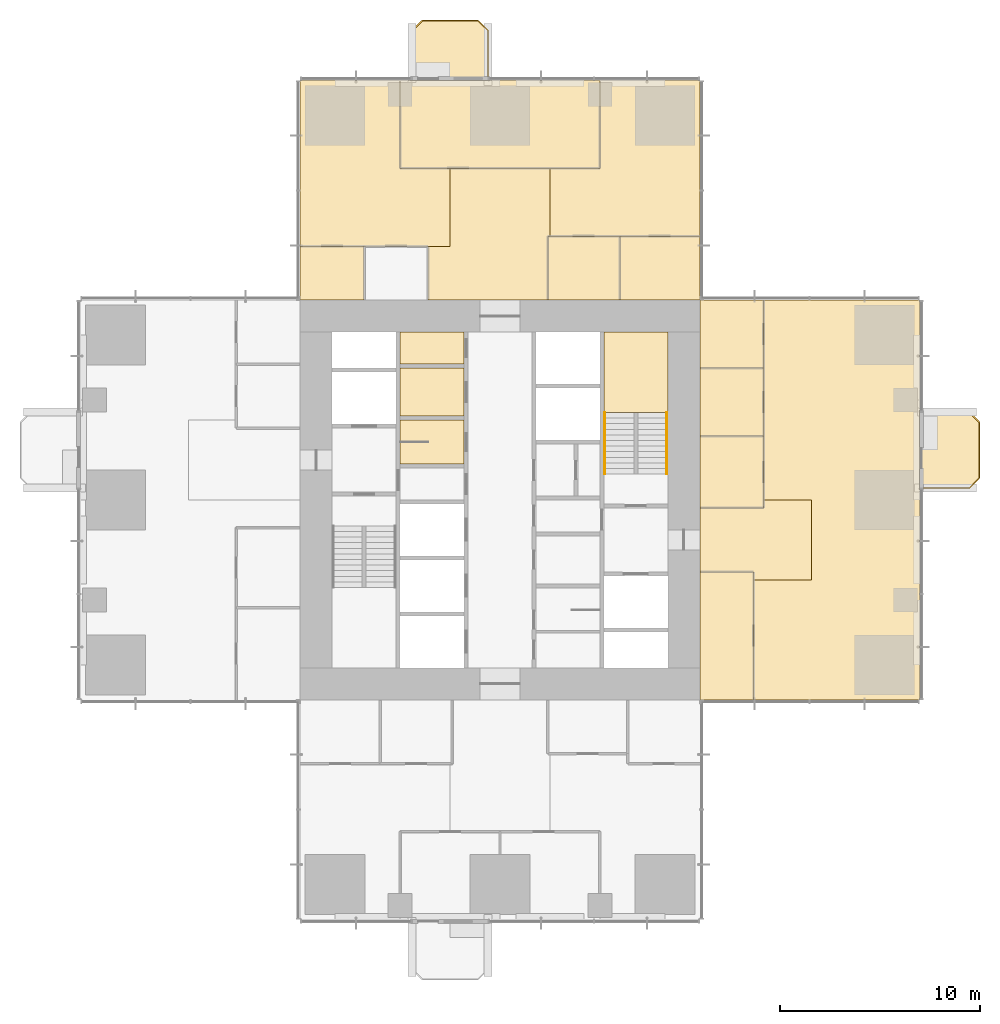
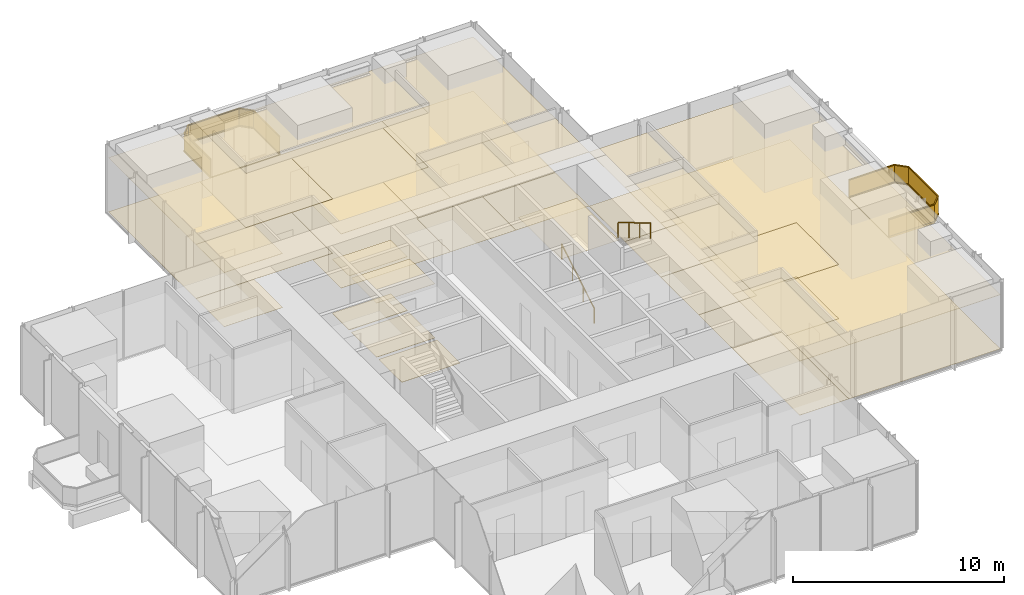
# One storey, part 12 of 13: 34 coverings, 4 railings.
"""IFC4 building model written with IfcOpenShell, lengths in metres."""

from ifc_helpers import new_model, si_unit, direction, frame, origin, origin_2d, place, context, subcontext, project, spatial, polyline, rectangle, circle, outline, extrude, material, layer, layer_set, type_object, element, save


model = new_model("IFC4")

# Units and contexts
model_context = context("Model", 3, precision=1e-05, world=origin(), true_north=direction((0.0, 1.0)))
body_context = subcontext(model_context, "Body", "Model", "MODEL_VIEW")
ifc_project = project(units=[si_unit("LENGTHUNIT", "METRE"), si_unit("AREAUNIT", "SQUARE_METRE"), si_unit("VOLUMEUNIT", "CUBIC_METRE"), si_unit("PLANEANGLEUNIT", "RADIAN"), si_unit("MASSUNIT", "GRAM", prefix="KILO")], contexts=[model_context])

# Site, building, storey
site_placement = place(None, origin())
site = spatial("IfcSite", under=ifc_project, at=site_placement, CompositionType="ELEMENT")
building_placement = place(site_placement, origin())
building = spatial("IfcBuilding", under=site, at=building_placement, Name="Svetlomir Tower", CompositionType="ELEMENT")
storey_placement = place(building_placement, frame((0.0, 0.0, 124.5)))
storey = spatial("IfcBuildingStorey", under=building, at=storey_placement, Name="L29", CompositionType="ELEMENT", Elevation=124.5)

# Railings
ifc_material_1 = material(Name="Bronze anodised aluminium and laminated glass", Category="aluminium")
railing_type_1 = type_object("IfcRailingType", Name="BALCONY GUARD GR1 1100", PredefinedType="GUARDRAIL", material=ifc_material_1)
railing_1_placement = place(storey_placement, frame((42.0, 21.60009765625, 0.0)))
element("IfcRailing", 1, at=railing_1_placement, inside=storey, type_object=railing_type_1, Name="Balcony guard E L29", PredefinedType="GUARDRAIL", context=body_context, shape_type="SweptSolid", body=[
    extrude(rectangle(XDim=0.06005859375, YDim=0.10009765625, at=origin_2d()), frame((0.0, 0.0, 0.050048828125), z_axis=(1.0, 0.0, 0.0), x_axis=(0.0, 1.0, 0.0)), (0.0, 0.0, 1.0), 2.5),
    extrude(rectangle(XDim=0.021484375, YDim=0.960205078125, at=origin_2d()), frame((0.0, 0.0, 0.580078125), z_axis=(1.0, 0.0, 0.0), x_axis=(0.0, 1.0, 0.0)), (0.0, 0.0, 1.0), 2.5),
    extrude(rectangle(XDim=0.06005859375, YDim=0.0400390625, at=origin_2d()), frame((0.0, 0.0, 1.080078125), z_axis=(1.0, 0.0, 0.0), x_axis=(0.0, 1.0, 0.0)), (0.0, 0.0, 1.0), 2.5),
    extrude(rectangle(XDim=0.06005859375, YDim=0.10009765625, at=origin_2d()), frame((2.5, 0.0, 0.050048828125), z_axis=(0.707106781187, 0.707106781187, 0.0), x_axis=(-0.707106781187, 0.707106781187, 0.0)), (0.0, 0.0, 1.0), 0.70703125),
    extrude(rectangle(XDim=0.021484375, YDim=0.960205078125, at=origin_2d()), frame((2.5, 0.0, 0.580078125), z_axis=(0.707106781187, 0.707106781187, 0.0), x_axis=(-0.707106781187, 0.707106781187, 0.0)), (0.0, 0.0, 1.0), 0.70703125),
    extrude(rectangle(XDim=0.06005859375, YDim=0.0400390625, at=origin_2d()), frame((2.5, 0.0, 1.080078125), z_axis=(0.707106781187, 0.707106781187, 0.0), x_axis=(-0.707106781187, 0.707106781187, 0.0)), (0.0, 0.0, 1.0), 0.70703125),
    extrude(rectangle(XDim=0.06005859375, YDim=0.10009765625, at=origin_2d()), frame((3.0, 0.5, 0.050048828125), z_axis=(0.0, 1.0, 0.0), x_axis=(-1.0, 0.0, 0.0)), (0.0, 0.0, 1.0), 2.7998046875),
    extrude(rectangle(XDim=0.021484375, YDim=0.960205078125, at=origin_2d()), frame((3.0, 0.5, 0.580078125), z_axis=(0.0, 1.0, 0.0), x_axis=(-1.0, 0.0, 0.0)), (0.0, 0.0, 1.0), 2.7998046875),
    extrude(rectangle(XDim=0.06005859375, YDim=0.0400390625, at=origin_2d()), frame((3.0, 0.5, 1.080078125), z_axis=(0.0, 1.0, 0.0), x_axis=(-1.0, 0.0, 0.0)), (0.0, 0.0, 1.0), 2.7998046875),
    extrude(rectangle(XDim=0.06005859375, YDim=0.10009765625, at=origin_2d()), frame((3.0, 3.2998046875, 0.050048828125), z_axis=(-0.707106781187, 0.707106781187, 0.0), x_axis=(-0.707106781187, -0.707106781187, 0.0)), (0.0, 0.0, 1.0), 0.70703125),
    extrude(rectangle(XDim=0.021484375, YDim=0.960205078125, at=origin_2d()), frame((3.0, 3.2998046875, 0.580078125), z_axis=(-0.707106781187, 0.707106781187, 0.0), x_axis=(-0.707106781187, -0.707106781187, 0.0)), (0.0, 0.0, 1.0), 0.70703125),
    extrude(rectangle(XDim=0.06005859375, YDim=0.0400390625, at=origin_2d()), frame((3.0, 3.2998046875, 1.080078125), z_axis=(-0.707106781187, 0.707106781187, 0.0), x_axis=(-0.707106781187, -0.707106781187, 0.0)), (0.0, 0.0, 1.0), 0.70703125),
    extrude(rectangle(XDim=0.06005859375, YDim=0.10009765625, at=origin_2d()), frame((2.5, 3.7998046875, 0.050048828125), z_axis=(-1.0, 0.0, 0.0), x_axis=(0.0, -1.0, 0.0)), (0.0, 0.0, 1.0), 2.5),
    extrude(rectangle(XDim=0.021484375, YDim=0.960205078125, at=origin_2d()), frame((2.5, 3.7998046875, 0.580078125), z_axis=(-1.0, 0.0, 0.0), x_axis=(0.0, -1.0, 0.0)), (0.0, 0.0, 1.0), 2.5),
    extrude(rectangle(XDim=0.06005859375, YDim=0.0400390625, at=origin_2d()), frame((2.5, 3.7998046875, 1.080078125), z_axis=(-1.0, 0.0, 0.0), x_axis=(0.0, -1.0, 0.0)), (0.0, 0.0, 1.0), 2.5),
])
railing_2_placement = place(storey_placement, frame((20.39990234375, 42.0, 0.0)))
element("IfcRailing", 2, at=railing_2_placement, inside=storey, type_object=railing_type_1, Name="Balcony guard N L29", PredefinedType="GUARDRAIL", context=body_context, shape_type="SweptSolid", body=[
    extrude(rectangle(XDim=0.06005859375, YDim=0.10009765625, at=origin_2d()), frame((0.0, 0.0, 0.050048828125), z_axis=(0.0, 1.0, 0.0), x_axis=(-1.0, 0.0, 0.0)), (0.0, 0.0, 1.0), 2.5),
    extrude(rectangle(XDim=0.021484375, YDim=0.960205078125, at=origin_2d()), frame((0.0, 0.0, 0.580078125), z_axis=(0.0, 1.0, 0.0), x_axis=(-1.0, 0.0, 0.0)), (0.0, 0.0, 1.0), 2.5),
    extrude(rectangle(XDim=0.06005859375, YDim=0.0400390625, at=origin_2d()), frame((0.0, 0.0, 1.080078125), z_axis=(0.0, 1.0, 0.0), x_axis=(-1.0, 0.0, 0.0)), (0.0, 0.0, 1.0), 2.5),
    extrude(rectangle(XDim=0.06005859375, YDim=0.10009765625, at=origin_2d()), frame((0.0, 2.5, 0.050048828125), z_axis=(-0.707106781187, 0.707106781187, 0.0), x_axis=(-0.707106781187, -0.707106781187, 0.0)), (0.0, 0.0, 1.0), 0.70703125),
    extrude(rectangle(XDim=0.021484375, YDim=0.960205078125, at=origin_2d()), frame((0.0, 2.5, 0.580078125), z_axis=(-0.707106781187, 0.707106781187, 0.0), x_axis=(-0.707106781187, -0.707106781187, 0.0)), (0.0, 0.0, 1.0), 0.70703125),
    extrude(rectangle(XDim=0.06005859375, YDim=0.0400390625, at=origin_2d()), frame((0.0, 2.5, 1.080078125), z_axis=(-0.707106781187, 0.707106781187, 0.0), x_axis=(-0.707106781187, -0.707106781187, 0.0)), (0.0, 0.0, 1.0), 0.70703125),
    extrude(rectangle(XDim=0.06005859375, YDim=0.10009765625, at=origin_2d()), frame((-0.5, 3.0, 0.050048828125), z_axis=(-1.0, 0.0, 0.0), x_axis=(0.0, -1.0, 0.0)), (0.0, 0.0, 1.0), 2.7998046875),
    extrude(rectangle(XDim=0.021484375, YDim=0.960205078125, at=origin_2d()), frame((-0.5, 3.0, 0.580078125), z_axis=(-1.0, 0.0, 0.0), x_axis=(0.0, -1.0, 0.0)), (0.0, 0.0, 1.0), 2.7998046875),
    extrude(rectangle(XDim=0.06005859375, YDim=0.0400390625, at=origin_2d()), frame((-0.5, 3.0, 1.080078125), z_axis=(-1.0, 0.0, 0.0), x_axis=(0.0, -1.0, 0.0)), (0.0, 0.0, 1.0), 2.7998046875),
    extrude(rectangle(XDim=0.06005859375, YDim=0.10009765625, at=origin_2d()), frame((-3.2998046875, 3.0, 0.050048828125), z_axis=(-0.707106781187, -0.707106781187, 0.0), x_axis=(0.707106781187, -0.707106781187, 0.0)), (0.0, 0.0, 1.0), 0.70703125),
    extrude(rectangle(XDim=0.021484375, YDim=0.960205078125, at=origin_2d()), frame((-3.2998046875, 3.0, 0.580078125), z_axis=(-0.707106781187, -0.707106781187, 0.0), x_axis=(0.707106781187, -0.707106781187, 0.0)), (0.0, 0.0, 1.0), 0.70703125),
    extrude(rectangle(XDim=0.06005859375, YDim=0.0400390625, at=origin_2d()), frame((-3.2998046875, 3.0, 1.080078125), z_axis=(-0.707106781187, -0.707106781187, 0.0), x_axis=(0.707106781187, -0.707106781187, 0.0)), (0.0, 0.0, 1.0), 0.70703125),
    extrude(rectangle(XDim=0.06005859375, YDim=0.10009765625, at=origin_2d()), frame((-3.7998046875, 2.5, 0.050048828125), z_axis=(0.0, -1.0, 0.0), x_axis=(1.0, 0.0, 0.0)), (0.0, 0.0, 1.0), 2.5),
    extrude(rectangle(XDim=0.021484375, YDim=0.960205078125, at=origin_2d()), frame((-3.7998046875, 2.5, 0.580078125), z_axis=(0.0, -1.0, 0.0), x_axis=(1.0, 0.0, 0.0)), (0.0, 0.0, 1.0), 2.5),
    extrude(rectangle(XDim=0.06005859375, YDim=0.0400390625, at=origin_2d()), frame((-3.7998046875, 2.5, 1.080078125), z_axis=(0.0, -1.0, 0.0), x_axis=(1.0, 0.0, 0.0)), (0.0, 0.0, 1.0), 2.5),
])

# Coverings
ifc_material_2 = material(Name="Granite paving slabs on pedestals", Category="masonry")
ifc_layer_1 = layer(ifc_material_2, 0.0400390625)
ifc_layer_set_1 = layer_set([ifc_layer_1], Name="Granite paving slabs on pedestals")
covering_type_1 = type_object("IfcCoveringType", Name="BALCONY PAVING 40", PredefinedType="USERDEFINED", material=ifc_layer_set_1)
covering_1_placement = place(storey_placement, origin())
element("IfcCovering", 3, at=covering_1_placement, inside=storey, type_object=covering_type_1, Name="Balcony paving E L29", ObjectType="BALCONY PAVING", PredefinedType="USERDEFINED", context=body_context, shape_type="SweptSolid", body=[
    extrude(outline(polyline([(42.0, 21.60009765625), (44.5, 21.60009765625), (45.0, 22.10009765625), (45.0, 24.89990234375), (44.5, 25.39990234375), (42.0, 25.39990234375), (42.0, 21.60009765625)])), origin(), (0.0, 0.0, 1.0), 0.0400390625),
])
covering_2_placement = place(storey_placement, origin())
element("IfcCovering", 4, at=covering_2_placement, inside=storey, type_object=covering_type_1, Name="Balcony paving N L29", ObjectType="BALCONY PAVING", PredefinedType="USERDEFINED", context=body_context, shape_type="SweptSolid", body=[
    extrude(outline(polyline([(16.60009765625, 42.0), (20.39990234375, 42.0), (20.39990234375, 44.5), (19.89990234375, 45.0), (17.10009765625, 45.0), (16.60009765625, 44.5), (16.60009765625, 42.0)])), origin(), (0.0, 0.0, 1.0), 0.0400390625),
])
ifc_material_3 = material(Name="Carpet tile", Category="textile")
ifc_layer_2 = layer(ifc_material_3, 0.010009765625)
ifc_layer_set_2 = layer_set([ifc_layer_2], Name="Carpet tile")
covering_type_2 = type_object("IfcCoveringType", Name="CARPET TILE FLOOR 10", PredefinedType="FLOORING", material=ifc_layer_set_2)
covering_3_placement = place(storey_placement, origin())
element("IfcCovering", 5, at=covering_3_placement, inside=storey, type_object=covering_type_2, Name="Floor finish L29-22", PredefinedType="FLOORING", context=body_context, shape_type="SweptSolid", body=[
    extrude(outline(polyline([(31.0, 11.0), (33.699951171875, 11.0), (33.699951171875, 17.39990234375), (31.0, 17.39990234375), (31.0, 11.0)])), origin(), (0.0, 0.0, 1.0), 0.010009765625),
])
covering_4_placement = place(storey_placement, origin())
element("IfcCovering", 6, at=covering_4_placement, inside=storey, type_object=covering_type_2, Name="Floor finish L29-23", PredefinedType="FLOORING", context=body_context, shape_type="SweptSolid", body=[
    extrude(outline(polyline([(31.0, 20.60009765625), (34.199951171875, 20.60009765625), (34.199951171875, 24.199951171875), (31.0, 24.199951171875), (31.0, 20.60009765625)])), origin(), (0.0, 0.0, 1.0), 0.010009765625),
])
covering_5_placement = place(storey_placement, origin())
element("IfcCovering", 7, at=covering_5_placement, inside=storey, type_object=covering_type_2, Name="Floor finish L29-24", PredefinedType="FLOORING", context=body_context, shape_type="SweptSolid", body=[
    extrude(outline(polyline([(31.0, 24.199951171875), (34.199951171875, 24.199951171875), (34.199951171875, 27.60009765625), (31.0, 27.60009765625), (31.0, 24.199951171875)])), origin(), (0.0, 0.0, 1.0), 0.010009765625),
])
covering_6_placement = place(storey_placement, origin())
element("IfcCovering", 8, at=covering_6_placement, inside=storey, type_object=covering_type_2, Name="Floor finish L29-25", PredefinedType="FLOORING", context=body_context, shape_type="SweptSolid", body=[
    extrude(outline(polyline([(31.0, 27.60009765625), (34.199951171875, 27.60009765625), (34.199951171875, 31.0), (31.0, 31.0), (31.0, 27.60009765625)])), origin(), (0.0, 0.0, 1.0), 0.010009765625),
])
covering_7_placement = place(storey_placement, origin())
element("IfcCovering", 9, at=covering_7_placement, inside=storey, type_object=covering_type_2, Name="Floor finish L29-26", PredefinedType="FLOORING", context=body_context, shape_type="SweptSolid", body=[
    extrude(outline(polyline([(11.0, 31.0), (14.199951171875, 31.0), (14.199951171875, 33.699951171875), (11.0, 33.699951171875), (11.0, 31.0)])), origin(), (0.0, 0.0, 1.0), 0.010009765625),
])
covering_8_placement = place(storey_placement, origin())
element("IfcCovering", 10, at=covering_8_placement, inside=storey, type_object=covering_type_2, Name="Floor finish L29-28", PredefinedType="FLOORING", context=body_context, shape_type="SweptSolid", body=[
    extrude(outline(polyline([(23.39990234375, 31.0), (27.0, 31.0), (27.0, 34.199951171875), (23.39990234375, 34.199951171875), (23.39990234375, 31.0)])), origin(), (0.0, 0.0, 1.0), 0.010009765625),
])
covering_9_placement = place(storey_placement, origin())
element("IfcCovering", 11, at=covering_9_placement, inside=storey, type_object=covering_type_2, Name="Floor finish L29-29", PredefinedType="FLOORING", context=body_context, shape_type="SweptSolid", body=[
    extrude(outline(polyline([(27.0, 31.0), (31.0, 31.0), (31.0, 34.199951171875), (27.0, 34.199951171875), (27.0, 31.0)])), origin(), (0.0, 0.0, 1.0), 0.010009765625),
])
covering_10_placement = place(storey_placement, origin())
element("IfcCovering", 12, at=covering_10_placement, inside=storey, type_object=covering_type_2, Name="Floor finish L29-30", PredefinedType="FLOORING", context=body_context, shape_type="SweptSolid", body=[
    extrude(outline(polyline([(16.0, 37.60009765625), (26.0, 37.60009765625), (26.0, 42.0), (16.0, 42.0), (16.0, 37.60009765625)])), origin(), (0.0, 0.0, 1.0), 0.010009765625),
])
covering_11_placement = place(storey_placement, origin())
element("IfcCovering", 13, at=covering_11_placement, inside=storey, type_object=covering_type_2, Name="Floor finish L29-36", PredefinedType="FLOORING", context=body_context, shape_type="SweptSolid", body=[
    extrude(outline(polyline([(34.199951171875, 20.60009765625), (34.199951171875, 21.0), (36.60009765625, 21.0), (36.60009765625, 17.0), (33.699951171875, 17.0), (33.699951171875, 17.39990234375), (31.0, 17.39990234375), (31.0, 20.60009765625), (34.199951171875, 20.60009765625)])), origin(), (0.0, 0.0, 1.0), 0.010009765625),
])
covering_12_placement = place(storey_placement, origin())
element("IfcCovering", 14, at=covering_12_placement, inside=storey, type_object=covering_type_2, Name="Floor finish L29-38", PredefinedType="FLOORING", context=body_context, shape_type="SweptSolid", body=[
    extrude(outline(polyline([(18.5, 33.699951171875), (18.5, 37.60009765625), (23.5, 37.60009765625), (23.5, 34.199951171875), (23.39990234375, 34.199951171875), (23.39990234375, 31.0), (17.39990234375, 31.0), (17.39990234375, 33.699951171875), (18.5, 33.699951171875)])), origin(), (0.0, 0.0, 1.0), 0.010009765625),
])
covering_13_placement = place(storey_placement, origin())
element("IfcCovering", 15, at=covering_13_placement, inside=storey, type_object=covering_type_2, Name="Floor finish L29-41", PredefinedType="FLOORING", context=body_context, shape_type="SweptSolid", body=[
    extrude(outline(polyline([(33.699951171875, 11.0), (33.699951171875, 17.0), (36.60009765625, 17.0), (36.60009765625, 21.0), (34.199951171875, 21.0), (34.199951171875, 31.0), (42.0, 31.0), (42.0, 11.0), (33.699951171875, 11.0)])), origin(), (0.0, 0.0, 1.0), 0.010009765625),
])
covering_14_placement = place(storey_placement, origin())
element("IfcCovering", 16, at=covering_14_placement, inside=storey, type_object=covering_type_2, Name="Floor finish L29-42", PredefinedType="FLOORING", context=body_context, shape_type="SweptSolid", body=[
    extrude(outline(polyline([(23.5, 34.199951171875), (23.5, 37.60009765625), (26.0, 37.60009765625), (26.0, 42.0), (31.0, 42.0), (31.0, 34.199951171875), (23.5, 34.199951171875)])), origin(), (0.0, 0.0, 1.0), 0.010009765625),
])
covering_15_placement = place(storey_placement, origin())
element("IfcCovering", 17, at=covering_15_placement, inside=storey, type_object=covering_type_2, Name="Floor finish L29-43", PredefinedType="FLOORING", context=body_context, shape_type="SweptSolid", body=[
    extrude(outline(polyline([(11.0, 33.699951171875), (11.0, 42.0), (16.0, 42.0), (16.0, 37.60009765625), (18.5, 37.60009765625), (18.5, 33.699951171875), (11.0, 33.699951171875)])), origin(), (0.0, 0.0, 1.0), 0.010009765625),
])
ifc_material_4 = material(Name="Ceramic floor tile", Category="ceramic")
ifc_layer_3 = layer(ifc_material_4, 0.014892578125)
ifc_layer_set_3 = layer_set([ifc_layer_3], Name="Ceramic floor tile")
covering_type_3 = type_object("IfcCoveringType", Name="CERAMIC TILE FLOOR 15", PredefinedType="FLOORING", material=ifc_layer_set_3)
covering_16_placement = place(storey_placement, origin())
element("IfcCovering", 18, at=covering_16_placement, inside=storey, type_object=covering_type_3, Name="Floor finish L29-04", PredefinedType="FLOORING", context=body_context, shape_type="SweptSolid", body=[
    extrude(outline(polyline([(16.0, 22.800048828125), (19.199951171875, 22.800048828125), (19.199951171875, 25.0), (16.0, 25.0), (16.0, 22.800048828125)])), origin(), (0.0, 0.0, 1.0), 0.014892578125),
])
covering_17_placement = place(storey_placement, origin())
element("IfcCovering", 19, at=covering_17_placement, inside=storey, type_object=covering_type_3, Name="Floor finish L29-05", PredefinedType="FLOORING", context=body_context, shape_type="SweptSolid", body=[
    extrude(outline(polyline([(16.0, 25.199951171875), (19.199951171875, 25.199951171875), (19.199951171875, 27.60009765625), (16.0, 27.60009765625), (16.0, 25.199951171875)])), origin(), (0.0, 0.0, 1.0), 0.014892578125),
])

# Railings
ifc_material_5 = material(Name="Stainless steel", Category="steel")
railing_type_2 = type_object("IfcRailingType", Name="HANDRAIL HR1 900", PredefinedType="HANDRAIL", material=ifc_material_5)
railing_3_placement = place(storey_placement, frame((26.25, 22.300048828125, 0.166748046875)))
element("IfcRailing", 20, at=railing_3_placement, inside=storey, type_object=railing_type_2, Name="Handrail S2 flight 1 L29", PredefinedType="HANDRAIL", context=body_context, shape_type="SweptSolid", body=[
    extrude(circle(Radius=0.02392578125, at=origin_2d()), frame((0.0, 0.0, 0.8759765625), z_axis=(0.0, 0.859290745958, 0.51148745235), x_axis=(-1.0, 0.0, 0.0)), (0.0, 0.0, 1.0), 3.584228515625),
    extrude(circle(Radius=0.02099609375, at=origin_2d()), origin(), (0.0, 0.0, 1.0), 0.851806640625),
    extrude(circle(Radius=0.02099609375, at=origin_2d()), frame((0.0, 1.026611328125, 0.611083984375)), (0.0, 0.0, 1.0), 0.851806640625),
    extrude(circle(Radius=0.02099609375, at=origin_2d()), frame((0.0, 2.05322265625, 1.22216796875)), (0.0, 0.0, 1.0), 0.851806640625),
    extrude(circle(Radius=0.02099609375, at=origin_2d()), frame((0.0, 3.079833984375, 1.833251953125)), (0.0, 0.0, 1.0), 0.851806640625),
])
railing_4_placement = place(storey_placement, frame((29.35009765625, 25.3798828125, 2.166748046875)))
element("IfcRailing", 21, at=railing_4_placement, inside=storey, type_object=railing_type_2, Name="Handrail S2 flight 2 L29", PredefinedType="HANDRAIL", context=body_context, shape_type="SweptSolid", body=[
    extrude(circle(Radius=0.02392578125, at=origin_2d()), frame((0.0, 0.0, 0.8759765625), z_axis=(0.0, -0.859290745958, 0.51148745235), x_axis=(1.0, 0.0, 0.0)), (0.0, 0.0, 1.0), 3.584228515625),
    extrude(circle(Radius=0.02099609375, at=origin_2d()), origin(), (0.0, 0.0, 1.0), 0.851806640625),
    extrude(circle(Radius=0.02099609375, at=origin_2d()), frame((0.0, -1.026611328125, 0.611083984375)), (0.0, 0.0, 1.0), 0.851806640625),
    extrude(circle(Radius=0.02099609375, at=origin_2d()), frame((0.0, -2.05322265625, 1.22216796875)), (0.0, 0.0, 1.0), 0.851806640625),
    extrude(circle(Radius=0.02099609375, at=origin_2d()), frame((0.0, -3.079833984375, 1.833251953125)), (0.0, 0.0, 1.0), 0.851806640625),
])

# Coverings
ifc_material_6 = material(Name="Moisture resistant plasterboard ceiling", Category="gypsum")
ifc_layer_4 = layer(ifc_material_6, 0.012451171875)
ifc_layer_set_4 = layer_set([ifc_layer_4], Name="Moisture resistant plasterboard ceiling")
covering_type_4 = type_object("IfcCoveringType", Name="MOISTURE RESISTANT CEILING 12.5", PredefinedType="CEILING", material=ifc_layer_set_4)
covering_18_placement = place(storey_placement, frame((0.0, 0.0, 3.137451171875)))
element("IfcCovering", 22, at=covering_18_placement, inside=storey, type_object=covering_type_4, Name="Ceiling L29-05", PredefinedType="CEILING", context=body_context, shape_type="SweptSolid", body=[
    extrude(outline(polyline([(16.0, 25.199951171875), (19.199951171875, 25.199951171875), (19.199951171875, 27.60009765625), (16.0, 27.60009765625), (16.0, 25.199951171875)])), origin(), (0.0, 0.0, 1.0), 0.012451171875),
])
ifc_material_7 = material(Name="Gypsum plasterboard ceiling", Category="gypsum")
ifc_layer_5 = layer(ifc_material_7, 0.014892578125)
ifc_layer_set_5 = layer_set([ifc_layer_5], Name="Gypsum plasterboard ceiling")
covering_type_5 = type_object("IfcCoveringType", Name="PLASTERBOARD CEILING 15", PredefinedType="CEILING", material=ifc_layer_set_5)
covering_19_placement = place(storey_placement, frame((0.0, 0.0, 3.135009765625)))
element("IfcCovering", 23, at=covering_19_placement, inside=storey, type_object=covering_type_5, Name="Ceiling L29-06", PredefinedType="CEILING", context=body_context, shape_type="SweptSolid", body=[
    extrude(outline(polyline([(16.0, 27.800048828125), (19.199951171875, 27.800048828125), (19.199951171875, 29.39990234375), (16.0, 29.39990234375), (16.0, 27.800048828125)])), origin(), (0.0, 0.0, 1.0), 0.014892578125),
])
ifc_material_8 = material(Name="Studded rubber floor finish", Category="rubber")
ifc_layer_6 = layer(ifc_material_8, 0.006103515625)
ifc_layer_set_6 = layer_set([ifc_layer_6], Name="Studded rubber floor finish")
covering_type_6 = type_object("IfcCoveringType", Name="RUBBER LANDING FINISH 6", PredefinedType="FLOORING", material=ifc_layer_set_6)
covering_20_placement = place(storey_placement, frame((0.0, 0.0, 2.0)))
element("IfcCovering", 24, at=covering_20_placement, inside=storey, type_object=covering_type_6, Name="Stair S2 landing finish L29", PredefinedType="FLOORING", context=body_context, shape_type="SweptSolid", body=[
    extrude(outline(polyline([(26.199951171875, 25.3798828125), (29.39990234375, 25.3798828125), (29.39990234375, 29.39990234375), (26.199951171875, 29.39990234375), (26.199951171875, 25.3798828125)])), origin(), (0.0, 0.0, 1.0), 0.006103515625),
])
ifc_material_9 = material(Name="Mineral fibre ceiling tile", Category="mineral")
ifc_layer_7 = layer(ifc_material_9, 0.02001953125)
ifc_layer_set_7 = layer_set([ifc_layer_7], Name="Mineral fibre ceiling tile")
covering_type_7 = type_object("IfcCoveringType", Name="SUSPENDED CEILING 20", PredefinedType="CEILING", material=ifc_layer_set_7)
covering_21_placement = place(storey_placement, frame((0.0, 0.0, 3.1298828125)))
element("IfcCovering", 25, at=covering_21_placement, inside=storey, type_object=covering_type_7, Name="Ceiling L29-22", PredefinedType="CEILING", context=body_context, shape_type="SweptSolid", body=[
    extrude(outline(polyline([(31.0, 11.0), (33.699951171875, 11.0), (33.699951171875, 17.39990234375), (31.0, 17.39990234375), (31.0, 11.0)])), origin(), (0.0, 0.0, 1.0), 0.02001953125),
])
covering_22_placement = place(storey_placement, frame((0.0, 0.0, 3.1298828125)))
element("IfcCovering", 26, at=covering_22_placement, inside=storey, type_object=covering_type_7, Name="Ceiling L29-23", PredefinedType="CEILING", context=body_context, shape_type="SweptSolid", body=[
    extrude(outline(polyline([(31.0, 20.60009765625), (34.199951171875, 20.60009765625), (34.199951171875, 24.199951171875), (31.0, 24.199951171875), (31.0, 20.60009765625)])), origin(), (0.0, 0.0, 1.0), 0.02001953125),
])
covering_23_placement = place(storey_placement, frame((0.0, 0.0, 3.1298828125)))
element("IfcCovering", 27, at=covering_23_placement, inside=storey, type_object=covering_type_7, Name="Ceiling L29-24", PredefinedType="CEILING", context=body_context, shape_type="SweptSolid", body=[
    extrude(outline(polyline([(31.0, 24.199951171875), (34.199951171875, 24.199951171875), (34.199951171875, 27.60009765625), (31.0, 27.60009765625), (31.0, 24.199951171875)])), origin(), (0.0, 0.0, 1.0), 0.02001953125),
])
covering_24_placement = place(storey_placement, frame((0.0, 0.0, 3.1298828125)))
element("IfcCovering", 28, at=covering_24_placement, inside=storey, type_object=covering_type_7, Name="Ceiling L29-25", PredefinedType="CEILING", context=body_context, shape_type="SweptSolid", body=[
    extrude(outline(polyline([(31.0, 27.60009765625), (34.199951171875, 27.60009765625), (34.199951171875, 31.0), (31.0, 31.0), (31.0, 27.60009765625)])), origin(), (0.0, 0.0, 1.0), 0.02001953125),
])
covering_25_placement = place(storey_placement, frame((0.0, 0.0, 3.1298828125)))
element("IfcCovering", 29, at=covering_25_placement, inside=storey, type_object=covering_type_7, Name="Ceiling L29-26", PredefinedType="CEILING", context=body_context, shape_type="SweptSolid", body=[
    extrude(outline(polyline([(11.0, 31.0), (14.199951171875, 31.0), (14.199951171875, 33.699951171875), (11.0, 33.699951171875), (11.0, 31.0)])), origin(), (0.0, 0.0, 1.0), 0.02001953125),
])
covering_26_placement = place(storey_placement, frame((0.0, 0.0, 3.1298828125)))
element("IfcCovering", 30, at=covering_26_placement, inside=storey, type_object=covering_type_7, Name="Ceiling L29-28", PredefinedType="CEILING", context=body_context, shape_type="SweptSolid", body=[
    extrude(outline(polyline([(23.39990234375, 31.0), (27.0, 31.0), (27.0, 34.199951171875), (23.39990234375, 34.199951171875), (23.39990234375, 31.0)])), origin(), (0.0, 0.0, 1.0), 0.02001953125),
])
covering_27_placement = place(storey_placement, frame((0.0, 0.0, 3.1298828125)))
element("IfcCovering", 31, at=covering_27_placement, inside=storey, type_object=covering_type_7, Name="Ceiling L29-29", PredefinedType="CEILING", context=body_context, shape_type="SweptSolid", body=[
    extrude(outline(polyline([(27.0, 31.0), (31.0, 31.0), (31.0, 34.199951171875), (27.0, 34.199951171875), (27.0, 31.0)])), origin(), (0.0, 0.0, 1.0), 0.02001953125),
])
covering_28_placement = place(storey_placement, frame((0.0, 0.0, 3.1298828125)))
element("IfcCovering", 32, at=covering_28_placement, inside=storey, type_object=covering_type_7, Name="Ceiling L29-30", PredefinedType="CEILING", context=body_context, shape_type="SweptSolid", body=[
    extrude(outline(polyline([(16.0, 37.60009765625), (26.0, 37.60009765625), (26.0, 42.0), (16.0, 42.0), (16.0, 37.60009765625)])), origin(), (0.0, 0.0, 1.0), 0.02001953125),
])
covering_29_placement = place(storey_placement, frame((0.0, 0.0, 3.1298828125)))
element("IfcCovering", 33, at=covering_29_placement, inside=storey, type_object=covering_type_7, Name="Ceiling L29-36", PredefinedType="CEILING", context=body_context, shape_type="SweptSolid", body=[
    extrude(outline(polyline([(34.199951171875, 20.60009765625), (34.199951171875, 21.0), (36.60009765625, 21.0), (36.60009765625, 17.0), (33.699951171875, 17.0), (33.699951171875, 17.39990234375), (31.0, 17.39990234375), (31.0, 20.60009765625), (34.199951171875, 20.60009765625)])), origin(), (0.0, 0.0, 1.0), 0.02001953125),
])
covering_30_placement = place(storey_placement, frame((0.0, 0.0, 3.1298828125)))
element("IfcCovering", 34, at=covering_30_placement, inside=storey, type_object=covering_type_7, Name="Ceiling L29-38", PredefinedType="CEILING", context=body_context, shape_type="SweptSolid", body=[
    extrude(outline(polyline([(18.5, 33.699951171875), (18.5, 37.60009765625), (23.5, 37.60009765625), (23.5, 34.199951171875), (23.39990234375, 34.199951171875), (23.39990234375, 31.0), (17.39990234375, 31.0), (17.39990234375, 33.699951171875), (18.5, 33.699951171875)])), origin(), (0.0, 0.0, 1.0), 0.02001953125),
])
covering_31_placement = place(storey_placement, frame((0.0, 0.0, 3.1298828125)))
element("IfcCovering", 35, at=covering_31_placement, inside=storey, type_object=covering_type_7, Name="Ceiling L29-41", PredefinedType="CEILING", context=body_context, shape_type="SweptSolid", body=[
    extrude(outline(polyline([(33.699951171875, 11.0), (33.699951171875, 17.0), (36.60009765625, 17.0), (36.60009765625, 21.0), (34.199951171875, 21.0), (34.199951171875, 31.0), (42.0, 31.0), (42.0, 11.0), (33.699951171875, 11.0)])), origin(), (0.0, 0.0, 1.0), 0.02001953125),
])
covering_32_placement = place(storey_placement, frame((0.0, 0.0, 3.1298828125)))
element("IfcCovering", 36, at=covering_32_placement, inside=storey, type_object=covering_type_7, Name="Ceiling L29-42", PredefinedType="CEILING", context=body_context, shape_type="SweptSolid", body=[
    extrude(outline(polyline([(23.5, 34.199951171875), (23.5, 37.60009765625), (26.0, 37.60009765625), (26.0, 42.0), (31.0, 42.0), (31.0, 34.199951171875), (23.5, 34.199951171875)])), origin(), (0.0, 0.0, 1.0), 0.02001953125),
])
covering_33_placement = place(storey_placement, frame((0.0, 0.0, 3.1298828125)))
element("IfcCovering", 37, at=covering_33_placement, inside=storey, type_object=covering_type_7, Name="Ceiling L29-43", PredefinedType="CEILING", context=body_context, shape_type="SweptSolid", body=[
    extrude(outline(polyline([(11.0, 33.699951171875), (11.0, 42.0), (16.0, 42.0), (16.0, 37.60009765625), (18.5, 37.60009765625), (18.5, 33.699951171875), (11.0, 33.699951171875)])), origin(), (0.0, 0.0, 1.0), 0.02001953125),
])
ifc_material_10 = material(Name="Bronze-aggregate terrazzo", Category="stone")
ifc_layer_8 = layer(ifc_material_10, 0.030029296875)
ifc_layer_set_8 = layer_set([ifc_layer_8], Name="Bronze-aggregate terrazzo")
covering_type_8 = type_object("IfcCoveringType", Name="TERRAZZO FLOOR 30", PredefinedType="FLOORING", material=ifc_layer_set_8)
covering_34_placement = place(storey_placement, origin())
element("IfcCovering", 38, at=covering_34_placement, inside=storey, type_object=covering_type_8, Name="Floor finish L29-06", PredefinedType="FLOORING", context=body_context, shape_type="SweptSolid", body=[
    extrude(outline(polyline([(16.0, 27.800048828125), (19.199951171875, 27.800048828125), (19.199951171875, 29.39990234375), (16.0, 29.39990234375), (16.0, 27.800048828125)])), origin(), (0.0, 0.0, 1.0), 0.030029296875),
])

save(model, "model.ifc")
